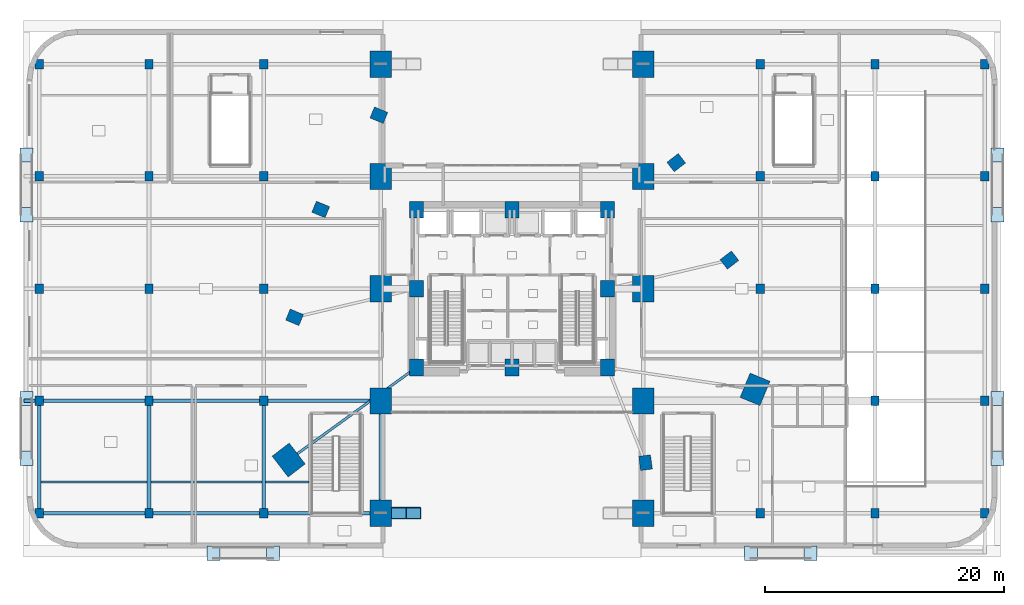
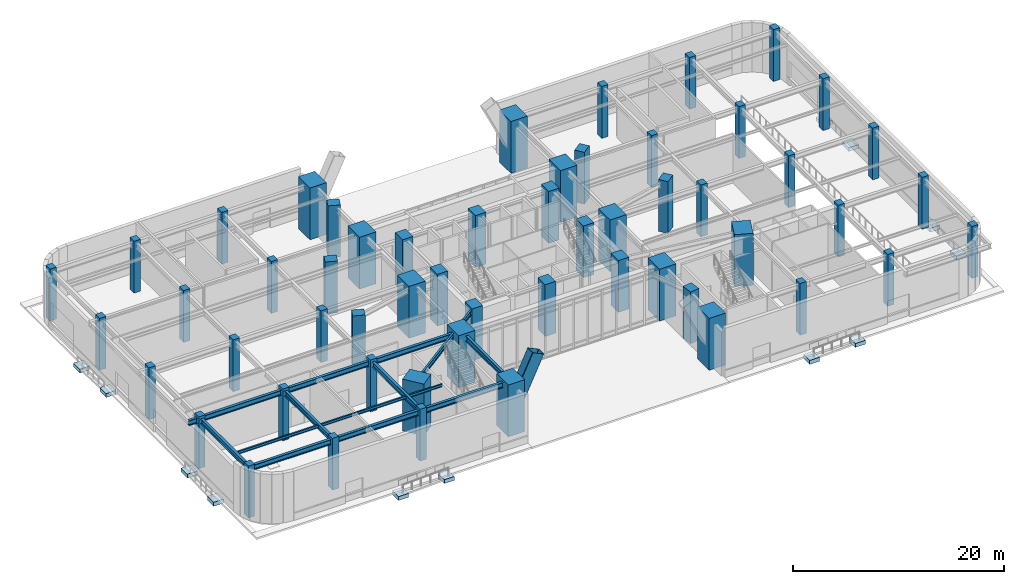
# One storey, part 1 of 27: 55 columns, 15 beams, 12 footings, 1 member.
"""IFC4 building model written with IfcOpenShell, lengths in metres."""

from ifc_helpers import new_model, si_unit, direction, frame, origin, origin_2d, place, context, subcontext, project, spatial, rectangle, hollow_rectangle, i_section, extrude, material, material_profile, profile_set, type_object, element, save


model = new_model("IFC4")

# Units and contexts
model_context = context("Model", 3, precision=1e-05, world=origin(), true_north=direction((0.0, 1.0)))
body_context = subcontext(model_context, "Body", "Model", "MODEL_VIEW")
ifc_project = project(units=[si_unit("LENGTHUNIT", "METRE"), si_unit("AREAUNIT", "SQUARE_METRE"), si_unit("VOLUMEUNIT", "CUBIC_METRE"), si_unit("PLANEANGLEUNIT", "RADIAN"), si_unit("MASSUNIT", "GRAM", prefix="KILO")], contexts=[model_context])

# Site, building, storey
site_placement = place(None, origin())
site = spatial("IfcSite", under=ifc_project, at=site_placement, CompositionType="ELEMENT")
building_placement = place(site_placement, origin())
building = spatial("IfcBuilding", under=site, at=building_placement, Name="Ndelora Gate Hotel", CompositionType="ELEMENT")
storey_placement = place(building_placement, origin())
storey = spatial("IfcBuildingStorey", under=building, at=storey_placement, Name="L00", CompositionType="ELEMENT", Elevation=0.0)

# Footings
ifc_material_1 = material(Name="Concrete C40/50", Category="concrete")
footing_type = type_object("IfcFootingType", Name="FT-RMP-PAD", PredefinedType="PAD_FOOTING", material=ifc_material_1)
for number, where, z_axis, x_axis, name in (
    (1, (-40.64990234375, -14.199951171875, -0.859375), (0.0, 0.0, 1.0), (1.0, 0.0, 0.0), "L00 Arrival Ramp R4 Toe Bearing Pad"),
    (2, (-40.64990234375, -9.199951171875, -0.6494140625), (0.0, 0.0, 1.0), (1.0, 0.0, 0.0), "L00 Arrival Ramp R4 Head Bearing Pad"),
    (3, (40.64990234375, -14.199951171875, -0.859375), (0.0, 0.0, 1.0), (1.0, 0.0, 0.0), "L00 Arrival Ramp R5 Toe Bearing Pad"),
    (4, (40.64990234375, -9.199951171875, -0.6494140625), (0.0, 0.0, 1.0), (1.0, 0.0, 0.0), "L00 Arrival Ramp R5 Head Bearing Pad"),
    (5, (-40.64990234375, 11.199951171875, -0.859375), (0.0, 0.0, 1.0), (1.0, 0.0, 0.0), "L00 Arrival Ramp R6 Toe Bearing Pad"),
    (6, (-40.64990234375, 6.199951171875, -0.6494140625), (0.0, 0.0, 1.0), (1.0, 0.0, 0.0), "L00 Arrival Ramp R6 Head Bearing Pad"),
    (7, (40.64990234375, 11.199951171875, -0.859375), (0.0, 0.0, 1.0), (1.0, 0.0, 0.0), "L00 Arrival Ramp R7 Toe Bearing Pad"),
    (8, (40.64990234375, 6.199951171875, -0.6494140625), (0.0, 0.0, 1.0), (1.0, 0.0, 0.0), "L00 Arrival Ramp R7 Head Bearing Pad"),
    (9, (-25.0, -22.14990234375, -0.859375), (0.0, 0.0, 1.0), (1.0, 0.0, 0.0), "L00 Arrival Ramp R8 Toe Bearing Pad"),
    (10, (-20.0, -22.14990234375, -0.6494140625), (0.0, 0.0, 1.0), (1.0, 0.0, 0.0), "L00 Arrival Ramp R8 Head Bearing Pad"),
    (11, (20.0, -22.14990234375, -0.859375), (0.0, 0.0, 1.0), (1.0, 0.0, 0.0), "L00 Arrival Ramp R9 Toe Bearing Pad"),
    (12, (25.0, -22.14990234375, -0.6494140625), (0.0, 0.0, 1.0), (1.0, 0.0, 0.0), "L00 Arrival Ramp R9 Head Bearing Pad"),
):
    element("IfcFooting", number, at=place(storey_placement, frame(where, z_axis=z_axis, x_axis=x_axis)), inside=storey, type_object=footing_type, Name=name, PredefinedType="PAD_FOOTING", context=body_context, shape_type="SweptSolid", body=[
        extrude(rectangle(XDim=1.10009765625, YDim=1.199951171875, at=origin_2d()), origin(), (0.0, 0.0, 1.0), 0.449951171875),
    ])

# Columns
ifc_material_2 = material(Name="Concrete C60/75", Category="concrete")
ifc_material_profile_1 = material_profile(ifc_material_2, rectangle(XDim=1.800048828125, YDim=2.199951171875, at=origin_2d()), Name="RC 2200x1800")
ifc_profile_set_1 = profile_set([ifc_material_profile_1], Name="Concrete C60/75")
column_type_1 = type_object("IfcColumnType", Name="COL-ARCH-PIER", PredefinedType="COLUMN", material=ifc_profile_set_1)
for number, where, z_axis, x_axis, name in (
    (13, (-11.0, -18.800048828125, 0.0), (0.0, 0.0, 1.0), (1.0, 0.0, 0.0), "L00 Podium Column PC-04-01"),
    (14, (-11.0, -9.39990234375, 0.0), (0.0, 0.0, 1.0), (1.0, 0.0, 0.0), "L00 Podium Column PC-04-02"),
    (15, (-11.0, 0.0, 0.0), (0.0, 0.0, 1.0), (1.0, 0.0, 0.0), "L00 Podium Column PC-04-03"),
    (16, (-11.0, 9.39990234375, 0.0), (0.0, 0.0, 1.0), (1.0, 0.0, 0.0), "L00 Podium Column PC-04-04"),
    (17, (-11.0, 18.800048828125, 0.0), (0.0, 0.0, 1.0), (1.0, 0.0, 0.0), "L00 Podium Column PC-04-05"),
    (18, (11.0, -18.800048828125, 0.0), (0.0, 0.0, 1.0), (1.0, 0.0, 0.0), "L00 Podium Column PC-05-01"),
    (19, (11.0, -9.39990234375, 0.0), (0.0, 0.0, 1.0), (1.0, 0.0, 0.0), "L00 Podium Column PC-05-02"),
    (20, (11.0, 0.0, 0.0), (0.0, 0.0, 1.0), (1.0, 0.0, 0.0), "L00 Podium Column PC-05-03"),
    (21, (11.0, 9.39990234375, 0.0), (0.0, 0.0, 1.0), (1.0, 0.0, 0.0), "L00 Podium Column PC-05-04"),
    (22, (11.0, 18.800048828125, 0.0), (0.0, 0.0, 1.0), (1.0, 0.0, 0.0), "L00 Podium Column PC-05-05"),
):
    element("IfcColumn", number, at=place(storey_placement, frame(where, z_axis=z_axis, x_axis=x_axis)), inside=storey, type_object=column_type_1, Name=name, PredefinedType="COLUMN", context=body_context, shape_type="SweptSolid", body=[
        extrude(rectangle(XDim=1.800048828125, YDim=2.199951171875, at=origin_2d()), origin(), (0.0, 0.0, 1.0), 6.0),
    ])
ifc_material_profile_2 = material_profile(ifc_material_2, rectangle(XDim=1.14990234375, YDim=1.39990234375, at=origin_2d()), Name="RC 1400x1150")
ifc_profile_set_2 = profile_set([ifc_material_profile_2], Name="Concrete C60/75")
column_type_2 = type_object("IfcColumnType", Name="COL-CC-LOW", PredefinedType="COLUMN", material=ifc_profile_set_2)
for number, where, z_axis, x_axis, name in (
    (23, (-8.0, -6.60009765625, 0.0), (0.0, 0.0, 1.0), (1.0, 0.0, 0.0), "L00 Core Column CC1"),
    (24, (0.0, -6.60009765625, 0.0), (0.0, 0.0, 1.0), (1.0, 0.0, 0.0), "L00 Core Column CC2"),
    (25, (8.0, -6.60009765625, 0.0), (0.0, 0.0, 1.0), (1.0, 0.0, 0.0), "L00 Core Column CC3"),
    (26, (8.0, 0.0, 0.0), (0.0, 0.0, 1.0), (1.0, 0.0, 0.0), "L00 Core Column CC4"),
    (27, (8.0, 6.60009765625, 0.0), (0.0, 0.0, 1.0), (1.0, 0.0, 0.0), "L00 Core Column CC5"),
    (28, (0.0, 6.60009765625, 0.0), (0.0, 0.0, 1.0), (1.0, 0.0, 0.0), "L00 Core Column CC6"),
    (29, (-8.0, 6.60009765625, 0.0), (0.0, 0.0, 1.0), (1.0, 0.0, 0.0), "L00 Core Column CC7"),
    (30, (-8.0, 0.0, 0.0), (0.0, 0.0, 1.0), (1.0, 0.0, 0.0), "L00 Core Column CC8"),
):
    element("IfcColumn", number, at=place(storey_placement, frame(where, z_axis=z_axis, x_axis=x_axis)), inside=storey, type_object=column_type_2, Name=name, PredefinedType="COLUMN", context=body_context, shape_type="SweptSolid", body=[
        extrude(rectangle(XDim=1.14990234375, YDim=1.39990234375, at=origin_2d()), origin(), (0.0, 0.0, 1.0), 6.0),
    ])
ifc_material_profile_3 = material_profile(ifc_material_2, rectangle(XDim=1.800048828125, YDim=2.199951171875, at=origin_2d()), Name="RC 2200x1800")
ifc_profile_set_3 = profile_set([ifc_material_profile_3], Name="Concrete C60/75")
column_type_3 = type_object("IfcColumnType", Name="COL-MC-Z1", PredefinedType="COLUMN", material=ifc_profile_set_3)
for number, where, z_axis, x_axis, name in (
    (31, (-18.701904296875, -14.3505859375, 0.0), (0.0, 0.0, 1.0), (0.793353340291, 0.608761429009, 0.0), "L00 Tower Plumb Root Column R5"),
    (32, (20.35009765625, -8.42919921875, 0.0), (0.0, 0.0, 1.0), (-0.923879532511, 0.382683432365, 0.0), "L00 Tower Plumb Root Column R9"),
):
    element("IfcColumn", number, at=place(storey_placement, frame(where, z_axis=z_axis, x_axis=x_axis)), inside=storey, type_object=column_type_3, Name=name, PredefinedType="COLUMN", context=body_context, shape_type="SweptSolid", body=[
        extrude(rectangle(XDim=1.800048828125, YDim=2.199951171875, at=origin_2d()), origin(), (0.0, 0.0, 1.0), 6.0),
    ])
ifc_material_3 = material(Name="Concrete C50/60", Category="concrete")
ifc_material_profile_4 = material_profile(ifc_material_3, rectangle(XDim=0.699951171875, YDim=0.800048828125, at=origin_2d()), Name="RC 800x700")
ifc_profile_set_4 = profile_set([ifc_material_profile_4], Name="Concrete C50/60")
column_type_4 = type_object("IfcColumnType", Name="COL-POD-UP", PredefinedType="COLUMN", material=ifc_profile_set_4)
for number, where, z_axis, x_axis, name in (
    (33, (-39.60009765625, -18.800048828125, 0.0), (0.0, 0.0, 1.0), (1.0, 0.0, 0.0), "L00 Podium Column PC-01-01"),
    (34, (-39.60009765625, -9.39990234375, 0.0), (0.0, 0.0, 1.0), (1.0, 0.0, 0.0), "L00 Podium Column PC-01-02"),
    (35, (-39.60009765625, 0.0, 0.0), (0.0, 0.0, 1.0), (1.0, 0.0, 0.0), "L00 Podium Column PC-01-03"),
    (36, (-39.60009765625, 9.39990234375, 0.0), (0.0, 0.0, 1.0), (1.0, 0.0, 0.0), "L00 Podium Column PC-01-04"),
    (37, (-39.60009765625, 18.800048828125, 0.0), (0.0, 0.0, 1.0), (1.0, 0.0, 0.0), "L00 Podium Column PC-01-05"),
    (38, (-30.39990234375, -18.800048828125, 0.0), (0.0, 0.0, 1.0), (1.0, 0.0, 0.0), "L00 Podium Column PC-02-01"),
    (39, (-30.39990234375, -9.39990234375, 0.0), (0.0, 0.0, 1.0), (1.0, 0.0, 0.0), "L00 Podium Column PC-02-02"),
    (40, (-30.39990234375, 0.0, 0.0), (0.0, 0.0, 1.0), (1.0, 0.0, 0.0), "L00 Podium Column PC-02-03"),
    (41, (-30.39990234375, 9.39990234375, 0.0), (0.0, 0.0, 1.0), (1.0, 0.0, 0.0), "L00 Podium Column PC-02-04"),
    (42, (-30.39990234375, 18.800048828125, 0.0), (0.0, 0.0, 1.0), (1.0, 0.0, 0.0), "L00 Podium Column PC-02-05"),
    (43, (-20.800048828125, -18.800048828125, 0.0), (0.0, 0.0, 1.0), (1.0, 0.0, 0.0), "L00 Podium Column PC-03-01"),
    (44, (-20.800048828125, -9.39990234375, 0.0), (0.0, 0.0, 1.0), (1.0, 0.0, 0.0), "L00 Podium Column PC-03-02"),
    (45, (-20.800048828125, 0.0, 0.0), (0.0, 0.0, 1.0), (1.0, 0.0, 0.0), "L00 Podium Column PC-03-03"),
    (46, (-20.800048828125, 9.39990234375, 0.0), (0.0, 0.0, 1.0), (1.0, 0.0, 0.0), "L00 Podium Column PC-03-04"),
    (47, (-20.800048828125, 18.800048828125, 0.0), (0.0, 0.0, 1.0), (1.0, 0.0, 0.0), "L00 Podium Column PC-03-05"),
    (48, (20.800048828125, -18.800048828125, 0.0), (0.0, 0.0, 1.0), (1.0, 0.0, 0.0), "L00 Podium Column PC-06-01"),
    (49, (20.800048828125, 0.0, 0.0), (0.0, 0.0, 1.0), (1.0, 0.0, 0.0), "L00 Podium Column PC-06-03"),
    (50, (20.800048828125, 9.39990234375, 0.0), (0.0, 0.0, 1.0), (1.0, 0.0, 0.0), "L00 Podium Column PC-06-04"),
    (51, (20.800048828125, 18.800048828125, 0.0), (0.0, 0.0, 1.0), (1.0, 0.0, 0.0), "L00 Podium Column PC-06-05"),
    (52, (30.39990234375, -18.800048828125, 0.0), (0.0, 0.0, 1.0), (1.0, 0.0, 0.0), "L00 Podium Column PC-07-01"),
    (53, (30.39990234375, -9.39990234375, 0.0), (0.0, 0.0, 1.0), (1.0, 0.0, 0.0), "L00 Podium Column PC-07-02"),
    (54, (30.39990234375, 0.0, 0.0), (0.0, 0.0, 1.0), (1.0, 0.0, 0.0), "L00 Podium Column PC-07-03"),
    (55, (30.39990234375, 9.39990234375, 0.0), (0.0, 0.0, 1.0), (1.0, 0.0, 0.0), "L00 Podium Column PC-07-04"),
    (56, (30.39990234375, 18.800048828125, 0.0), (0.0, 0.0, 1.0), (1.0, 0.0, 0.0), "L00 Podium Column PC-07-05"),
    (57, (39.60009765625, -18.800048828125, 0.0), (0.0, 0.0, 1.0), (1.0, 0.0, 0.0), "L00 Podium Column PC-08-01"),
    (58, (39.60009765625, -9.39990234375, 0.0), (0.0, 0.0, 1.0), (1.0, 0.0, 0.0), "L00 Podium Column PC-08-02"),
    (59, (39.60009765625, 0.0, 0.0), (0.0, 0.0, 1.0), (1.0, 0.0, 0.0), "L00 Podium Column PC-08-03"),
    (60, (39.60009765625, 9.39990234375, 0.0), (0.0, 0.0, 1.0), (1.0, 0.0, 0.0), "L00 Podium Column PC-08-04"),
    (61, (39.60009765625, 18.800048828125, 0.0), (0.0, 0.0, 1.0), (1.0, 0.0, 0.0), "L00 Podium Column PC-08-05"),
):
    element("IfcColumn", number, at=place(storey_placement, frame(where, z_axis=z_axis, x_axis=x_axis)), inside=storey, type_object=column_type_4, Name=name, PredefinedType="COLUMN", context=body_context, shape_type="SweptSolid", body=[
        extrude(rectangle(XDim=0.699951171875, YDim=0.800048828125, at=origin_2d()), origin(), (0.0, 0.0, 1.0), 6.0),
    ])
ifc_material_profile_5 = material_profile(ifc_material_2, rectangle(XDim=1.0, YDim=1.199951171875, at=origin_2d()), Name="RC 1200x1000")
ifc_profile_set_5 = profile_set([ifc_material_profile_5], Name="Concrete C60/75")
column_type_5 = type_object("IfcColumnType", Name="COL-PT-Z1", PredefinedType="COLUMN", material=ifc_profile_set_5)
for number, where, z_axis, x_axis, name in (
    (62, (-11.1484375, 14.529052734375, 0.0), (0.0, 0.0, 1.0), (0.382683432365, 0.923879532511, 0.0), "L00 Tower Plumb Root Column R2"),
    (63, (-16.016845703125, 6.634521484375, 0.0), (0.0, 0.0, 1.0), (0.382683432365, 0.923879532511, 0.0), "L00 Tower Plumb Root Column R3"),
    (64, (-18.207275390625, -2.39697265625, 0.0), (0.0, 0.0, 1.0), (0.382683432365, 0.923879532511, 0.0), "L00 Tower Plumb Root Column R4"),
    (65, (11.179443359375, -14.5693359375, 0.0), (0.0, 0.0, 1.0), (0.991444861374, 0.13052619222, 0.0), "L00 Tower Plumb Root Column R8"),
    (66, (18.207275390625, 2.39697265625, 0.0), (0.0, 0.0, 1.0), (-0.608761429009, 0.793353340291, 0.0), "L00 Tower Plumb Root Column R10"),
    (67, (13.75390625, 10.5537109375, 0.0), (0.0, 0.0, 1.0), (-0.608761429009, 0.793353340291, 0.0), "L00 Tower Plumb Root Column R11"),
):
    element("IfcColumn", number, at=place(storey_placement, frame(where, z_axis=z_axis, x_axis=x_axis)), inside=storey, type_object=column_type_5, Name=name, PredefinedType="COLUMN", context=body_context, shape_type="SweptSolid", body=[
        extrude(rectangle(XDim=1.0, YDim=1.199951171875, at=origin_2d()), origin(), (0.0, 0.0, 1.0), 6.0),
    ])

# Beams
ifc_material_4 = material(Name="Steel S355", Category="steel")
ifc_material_profile_6 = material_profile(ifc_material_4, i_section(OverallWidth=0.159912109375, OverallDepth=0.330078125, WebThickness=0.007568359375, FlangeThickness=0.011474609375, FilletRadius=0.01806640625, at=origin_2d()), Name="IPE 330")
ifc_profile_set_6 = profile_set([ifc_material_profile_6], Name="Steel S355")
beam_type_1 = type_object("IfcBeamType", Name="BM-JST-330", PredefinedType="JOIST", material=ifc_profile_set_6)
beam_1_placement = place(storey_placement, frame((-39.449951171875, -16.199951171875, 5.554931640625), z_axis=(1.0, 0.0, 0.0), x_axis=(0.0, 1.0, 0.0)))
element("IfcBeam", 68, at=beam_1_placement, inside=storey, type_object=beam_type_1, Name="L00 Podium Composite Secondary Joist 1", PredefinedType="JOIST", context=body_context, shape_type="SweptSolid", body=[
    extrude(i_section(OverallWidth=0.159912109375, OverallDepth=0.330078125, WebThickness=0.007568359375, FlangeThickness=0.011474609375, FilletRadius=0.01806640625, at=origin_2d()), origin(), (0.0, 0.0, 1.0), 8.89990234375),
])
beam_2_placement = place(storey_placement, frame((-30.25, -16.199951171875, 5.554931640625), z_axis=(1.0, 0.0, 0.0), x_axis=(0.0, 1.0, 0.0)))
element("IfcBeam", 69, at=beam_2_placement, inside=storey, type_object=beam_type_1, Name="L00 Podium Composite Secondary Joist 2", PredefinedType="JOIST", context=body_context, shape_type="SweptSolid", body=[
    extrude(i_section(OverallWidth=0.159912109375, OverallDepth=0.330078125, WebThickness=0.007568359375, FlangeThickness=0.011474609375, FilletRadius=0.01806640625, at=origin_2d()), origin(), (0.0, 0.0, 1.0), 9.300048828125),
])
beam_3_placement = place(storey_placement, frame((-20.64990234375, -16.199951171875, 5.554931640625), z_axis=(1.0, 0.0, 0.0), x_axis=(0.0, 1.0, 0.0)))
element("IfcBeam", 70, at=beam_3_placement, inside=storey, type_object=beam_type_1, Name="L00 Podium Composite Secondary Joist 3", PredefinedType="JOIST", context=body_context, shape_type="SweptSolid", body=[
    extrude(i_section(OverallWidth=0.159912109375, OverallDepth=0.330078125, WebThickness=0.007568359375, FlangeThickness=0.011474609375, FilletRadius=0.01806640625, at=origin_2d()), origin(), (0.0, 0.0, 1.0), 3.659912109375),
])
ifc_material_profile_7 = material_profile(ifc_material_4, i_section(OverallWidth=0.300048828125, OverallDepth=0.60009765625, WebThickness=0.015380859375, FlangeThickness=0.030029296875, FilletRadius=0.027099609375, at=origin_2d()), Name="HEB 600")
ifc_profile_set_7 = profile_set([ifc_material_profile_7], Name="Steel S355")
beam_type_2 = type_object("IfcBeamType", Name="BM-POD-600", PredefinedType="BEAM", material=ifc_profile_set_7)
for number, where, z_axis, x_axis, name in (
    (71, (-39.60009765625, -18.800048828125, 5.419921875), (0.0, 1.0, 0.0), (-1.0, 0.0, 0.0), "L00 Podium Longitudinal Girder X=-39.6"),
    (72, (-30.39990234375, -18.800048828125, 5.419921875), (0.0, 1.0, 0.0), (-1.0, 0.0, 0.0), "L00 Podium Longitudinal Girder X=-30.4"),
    (73, (-20.800048828125, -18.800048828125, 5.419921875), (0.0, 1.0, 0.0), (-1.0, 0.0, 0.0), "L00 Podium Longitudinal Girder X=-20.8"),
    (74, (-11.0, -18.800048828125, 5.419921875), (0.0, 1.0, 0.0), (-1.0, 0.0, 0.0), "L00 Podium Longitudinal Girder X=-11.0"),
):
    element("IfcBeam", number, at=place(storey_placement, frame(where, z_axis=z_axis, x_axis=x_axis)), inside=storey, type_object=beam_type_2, Name=name, PredefinedType="BEAM", context=body_context, shape_type="SweptSolid", body=[
        extrude(i_section(OverallWidth=0.300048828125, OverallDepth=0.60009765625, WebThickness=0.015380859375, FlangeThickness=0.030029296875, FilletRadius=0.027099609375, at=origin_2d()), origin(), (0.0, 0.0, 1.0), 9.400146484375),
    ])
beam_4_placement = place(storey_placement, frame((-39.60009765625, -18.800048828125, 5.419921875), z_axis=(1.0, 0.0, 0.0), x_axis=(0.0, 1.0, 0.0)))
element("IfcBeam", 75, at=beam_4_placement, inside=storey, type_object=beam_type_2, Name="L00 Podium Transverse Girder Y=-18.8", PredefinedType="BEAM", context=body_context, shape_type="SweptSolid", body=[
    extrude(i_section(OverallWidth=0.300048828125, OverallDepth=0.60009765625, WebThickness=0.015380859375, FlangeThickness=0.030029296875, FilletRadius=0.027099609375, at=origin_2d()), origin(), (0.0, 0.0, 1.0), 9.2001953125),
])
beam_5_placement = place(storey_placement, frame((-30.39990234375, -18.800048828125, 5.419921875), z_axis=(1.0, 0.0, 0.0), x_axis=(0.0, 1.0, 0.0)))
element("IfcBeam", 76, at=beam_5_placement, inside=storey, type_object=beam_type_2, Name="L00 Podium Transverse Girder Y=-18.8", PredefinedType="BEAM", context=body_context, shape_type="SweptSolid", body=[
    extrude(i_section(OverallWidth=0.300048828125, OverallDepth=0.60009765625, WebThickness=0.015380859375, FlangeThickness=0.030029296875, FilletRadius=0.027099609375, at=origin_2d()), origin(), (0.0, 0.0, 1.0), 9.599853515625),
])
beam_6_placement = place(storey_placement, frame((-20.800048828125, -18.800048828125, 5.419921875), z_axis=(1.0, 0.0, 0.0), x_axis=(0.0, 1.0, 0.0)))
element("IfcBeam", 77, at=beam_6_placement, inside=storey, type_object=beam_type_2, Name="L00 Podium Transverse Girder Y=-18.8", PredefinedType="BEAM", context=body_context, shape_type="SweptSolid", body=[
    extrude(i_section(OverallWidth=0.300048828125, OverallDepth=0.60009765625, WebThickness=0.015380859375, FlangeThickness=0.030029296875, FilletRadius=0.027099609375, at=origin_2d()), origin(), (0.0, 0.0, 1.0), 9.800048828125),
])
beam_7_placement = place(storey_placement, frame((-39.60009765625, -9.39990234375, 5.419921875), z_axis=(1.0, 0.0, 0.0), x_axis=(0.0, 1.0, 0.0)))
element("IfcBeam", 78, at=beam_7_placement, inside=storey, type_object=beam_type_2, Name="L00 Podium Transverse Girder Y=-9.4", PredefinedType="BEAM", context=body_context, shape_type="SweptSolid", body=[
    extrude(i_section(OverallWidth=0.300048828125, OverallDepth=0.60009765625, WebThickness=0.015380859375, FlangeThickness=0.030029296875, FilletRadius=0.027099609375, at=origin_2d()), origin(), (0.0, 0.0, 1.0), 9.2001953125),
])
beam_8_placement = place(storey_placement, frame((-30.39990234375, -9.39990234375, 5.419921875), z_axis=(1.0, 0.0, 0.0), x_axis=(0.0, 1.0, 0.0)))
element("IfcBeam", 79, at=beam_8_placement, inside=storey, type_object=beam_type_2, Name="L00 Podium Transverse Girder Y=-9.4", PredefinedType="BEAM", context=body_context, shape_type="SweptSolid", body=[
    extrude(i_section(OverallWidth=0.300048828125, OverallDepth=0.60009765625, WebThickness=0.015380859375, FlangeThickness=0.030029296875, FilletRadius=0.027099609375, at=origin_2d()), origin(), (0.0, 0.0, 1.0), 9.599853515625),
])
beam_9_placement = place(storey_placement, frame((-20.800048828125, -9.39990234375, 5.419921875), z_axis=(1.0, 0.0, 0.0), x_axis=(0.0, 1.0, 0.0)))
element("IfcBeam", 80, at=beam_9_placement, inside=storey, type_object=beam_type_2, Name="L00 Podium Transverse Girder Y=-9.4", PredefinedType="BEAM", context=body_context, shape_type="SweptSolid", body=[
    extrude(i_section(OverallWidth=0.300048828125, OverallDepth=0.60009765625, WebThickness=0.015380859375, FlangeThickness=0.030029296875, FilletRadius=0.027099609375, at=origin_2d()), origin(), (0.0, 0.0, 1.0), 9.800048828125),
])
beam_10_placement = place(storey_placement, frame((-39.75, -9.39990234375, 5.419921875), z_axis=(-1.0, 0.0, 0.0), x_axis=(0.0, -1.0, 0.0)))
element("IfcBeam", 81, at=beam_10_placement, inside=storey, type_object=beam_type_2, Name="L00 West Porte-Cochere Canopy Outrigger 1", PredefinedType="BEAM", context=body_context, shape_type="SweptSolid", body=[
    extrude(i_section(OverallWidth=0.300048828125, OverallDepth=0.60009765625, WebThickness=0.015380859375, FlangeThickness=0.030029296875, FilletRadius=0.027099609375, at=origin_2d()), origin(), (0.0, 0.0, 1.0), 1.10009765625),
])
ifc_material_profile_8 = material_profile(ifc_material_4, i_section(OverallWidth=0.2099609375, OverallDepth=0.550048828125, WebThickness=0.010986328125, FlangeThickness=0.01708984375, FilletRadius=0.02392578125, at=origin_2d()), Name="IPE 550")
ifc_profile_set_8 = profile_set([ifc_material_profile_8], Name="Steel S355")
beam_type_3 = type_object("IfcBeamType", Name="BM-RAD-550", PredefinedType="BEAM", material=ifc_profile_set_8)
beam_11_placement = place(storey_placement, frame((-8.0, -6.60009765625, 5.445068359375), z_axis=(-0.809912157619, -0.586551188679, 0.0), x_axis=(0.586551188679, -0.809912157619, 0.0)))
element("IfcBeam", 82, at=beam_11_placement, inside=storey, type_object=beam_type_3, Name="L00 Tower Root Radial Tie Beam 5", PredefinedType="BEAM", context=body_context, shape_type="SweptSolid", body=[
    extrude(i_section(OverallWidth=0.2099609375, OverallDepth=0.550048828125, WebThickness=0.010986328125, FlangeThickness=0.01708984375, FilletRadius=0.02392578125, at=origin_2d()), origin(), (0.0, 0.0, 1.0), 13.213623046875),
])

# Member
ifc_material_5 = material(Name="Steel S460", Category="steel")
ifc_material_profile_9 = material_profile(ifc_material_5, hollow_rectangle(XDim=1.0, YDim=1.39990234375, WallThickness=0.0400390625, InnerFilletRadius=0.0400390625, OuterFilletRadius=0.080078125, at=origin_2d()), Name="BOX 1400x1000x40")
ifc_profile_set_9 = profile_set([ifc_material_profile_9], Name="Steel S460")
member_type = type_object("IfcMemberType", Name="MB-ARCH-RIB1", PredefinedType="CHORD", material=ifc_profile_set_9)
member_placement = place(storey_placement, frame((-11.0, -18.800048828125, 2.199951171875), z_axis=(0.427287163011, 0.0, 0.904115966194), x_axis=(0.0, 1.0, 0.0)))
element("IfcMember", 83, at=member_placement, inside=storey, type_object=member_type, Name="Portal Arch Parabolic Rib S-1", PredefinedType="CHORD", context=body_context, shape_type="SweptSolid", body=[
    extrude(hollow_rectangle(XDim=1.0, YDim=1.39990234375, WallThickness=0.0400390625, InnerFilletRadius=0.0400390625, OuterFilletRadius=0.080078125, at=origin_2d()), origin(), (0.0, 0.0, 1.0), 6.43603515625),
])

save(model, "model.ifc")
